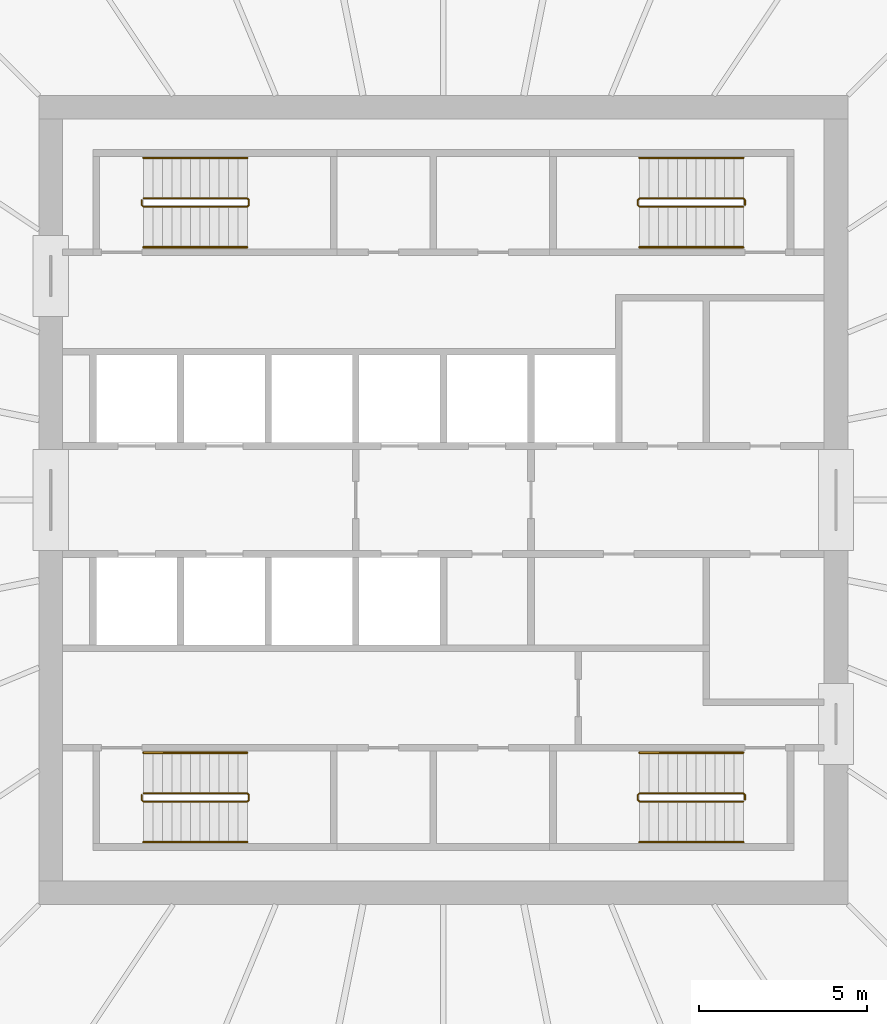
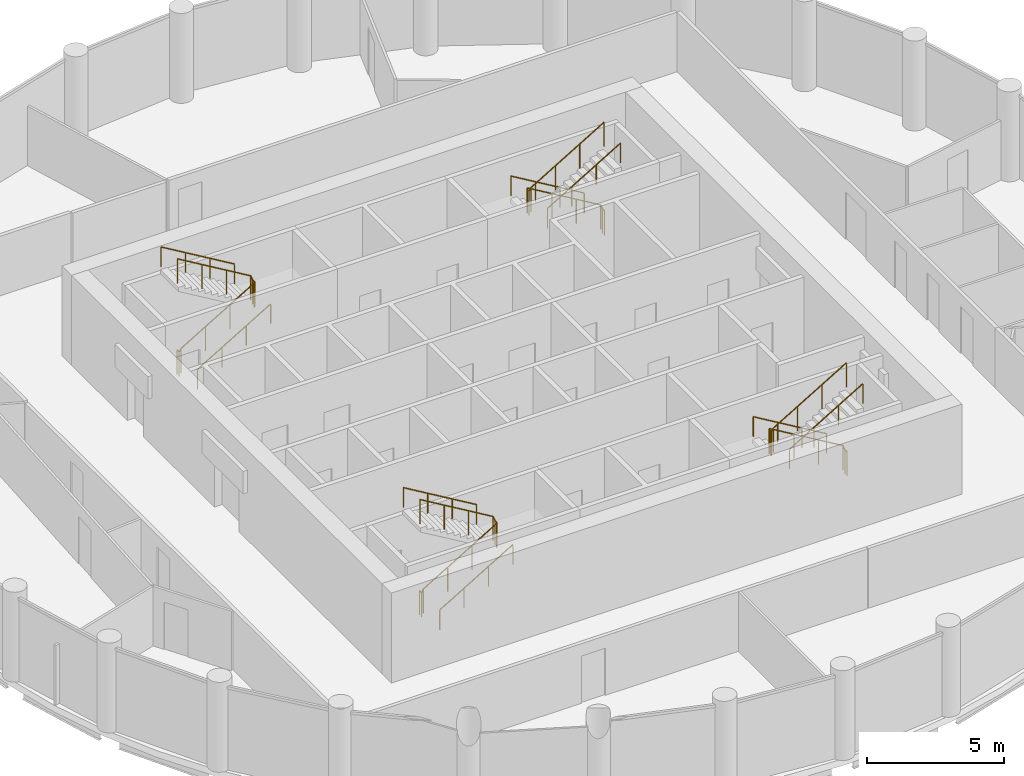
# One storey, part 7 of 7: 12 railings.
"""IFC4 building model written with IfcOpenShell, lengths in metres."""

from ifc_helpers import new_model, si_unit, direction, frame, origin, origin_2d, place, context, subcontext, project, spatial, circle, extrude, material, type_object, element, save


model = new_model("IFC4")

# Units and contexts
model_context = context("Model", 3, precision=1e-05, world=origin(), true_north=direction((0.0, 1.0)))
body_context = subcontext(model_context, "Body", "Model", "MODEL_VIEW")
ifc_project = project(units=[si_unit("LENGTHUNIT", "METRE"), si_unit("AREAUNIT", "SQUARE_METRE"), si_unit("VOLUMEUNIT", "CUBIC_METRE"), si_unit("PLANEANGLEUNIT", "RADIAN"), si_unit("MASSUNIT", "GRAM", prefix="KILO")], contexts=[model_context])

# Site, building, storey
site_placement = place(None, origin())
site = spatial("IfcSite", under=ifc_project, at=site_placement, CompositionType="ELEMENT")
building_placement = place(site_placement, origin())
building = spatial("IfcBuilding", under=site, at=building_placement, Name="Corvane Civic Tower", CompositionType="ELEMENT")
storey_placement = place(building_placement, frame((0.0, 0.0, 315.0)))
storey = spatial("IfcBuildingStorey", under=building, at=storey_placement, Name="L75", CompositionType="ELEMENT", Elevation=315.0)

# Railings
ifc_material_1 = material(Name="Steel ASTM A572 Gr 50", Category="steel")
railing_type_1 = type_object("IfcRailingType", Name="ST-GUARD-1100", PredefinedType="GUARDRAIL", material=ifc_material_1)
railing_1_placement = place(storey_placement, frame((8.949951171875, 8.75, 0.0)))
element("IfcRailing", 1, at=railing_1_placement, inside=storey, type_object=railing_type_1, Name="L75 ST1 stair guard 1", PredefinedType="GUARDRAIL", context=body_context, shape_type="SweptSolid", body=[
    extrude(circle(Radius=0.02392578125, at=origin_2d()), frame((0.0, 0.0, 1.076171875), z_axis=(0.0, 1.0, 0.0), x_axis=(-1.0, 0.0, 0.0)), (0.0, 0.0, 1.0), 0.14990234375),
    extrude(circle(Radius=0.02392578125, at=origin_2d()), frame((0.0, 0.14990234375, 1.076171875), z_axis=(-0.27628659633, 0.27628659633, 0.920506074601), x_axis=(-0.707106781187, -0.707106781187, 0.0)), (0.0, 0.0, 1.0), 0.18115234375),
    extrude(circle(Radius=0.02392578125, at=origin_2d()), frame((-0.050048828125, 0.199951171875, 1.24267578125), z_axis=(-0.859290745958, 0.0, 0.51148745235), x_axis=(0.0, -1.0, 0.0)), (0.0, 0.0, 1.0), 3.584228515625),
    extrude(circle(Radius=0.02392578125, at=origin_2d()), frame((-3.1298828125, 0.199951171875, 3.076171875), z_axis=(-0.707106781187, -0.707106781187, 0.0), x_axis=(0.707106781187, -0.707106781187, 0.0)), (0.0, 0.0, 1.0), 0.07080078125),
    extrude(circle(Radius=0.02392578125, at=origin_2d()), frame((-3.179931640625, 0.14990234375, 3.076171875), z_axis=(0.0, -1.0, 0.0), x_axis=(1.0, 0.0, 0.0)), (0.0, 0.0, 1.0), 0.14990234375),
    extrude(circle(Radius=0.02392578125, at=origin_2d()), frame((-3.179931640625, 0.0, 3.076171875), z_axis=(0.27628659633, -0.27628659633, 0.920506074601), x_axis=(0.707106781187, 0.707106781187, 0.0)), (0.0, 0.0, 1.0), 0.18115234375),
    extrude(circle(Radius=0.02392578125, at=origin_2d()), frame((-3.1298828125, -0.050048828125, 3.24267578125), z_axis=(0.859290745958, 0.0, 0.51148745235), x_axis=(0.0, 1.0, 0.0)), (0.0, 0.0, 1.0), 3.584228515625),
    extrude(circle(Radius=0.02099609375, at=origin_2d()), origin(), (0.0, 0.0, 1.0), 1.052001953125),
    extrude(circle(Radius=0.02099609375, at=origin_2d()), frame((0.0, 0.14990234375, 0.0)), (0.0, 0.0, 1.0), 1.052001953125),
    extrude(circle(Radius=0.02099609375, at=origin_2d()), frame((-0.050048828125, 0.199951171875, 0.166748046875)), (0.0, 0.0, 1.0), 1.052001953125),
    extrude(circle(Radius=0.02099609375, at=origin_2d()), frame((-1.07666015625, 0.199951171875, 0.77783203125)), (0.0, 0.0, 1.0), 1.052001953125),
    extrude(circle(Radius=0.02099609375, at=origin_2d()), frame((-2.103271484375, 0.199951171875, 1.388916015625)), (0.0, 0.0, 1.0), 1.052001953125),
    extrude(circle(Radius=0.02099609375, at=origin_2d()), frame((-3.1298828125, 0.199951171875, 2.0)), (0.0, 0.0, 1.0), 1.052001953125),
    extrude(circle(Radius=0.02099609375, at=origin_2d()), frame((-3.179931640625, 0.14990234375, 2.0)), (0.0, 0.0, 1.0), 1.052001953125),
    extrude(circle(Radius=0.02099609375, at=origin_2d()), frame((-3.179931640625, 0.0, 2.0)), (0.0, 0.0, 1.0), 1.052001953125),
    extrude(circle(Radius=0.02099609375, at=origin_2d()), frame((-3.1298828125, -0.050048828125, 2.166748046875)), (0.0, 0.0, 1.0), 1.052001953125),
    extrude(circle(Radius=0.02099609375, at=origin_2d()), frame((-2.103271484375, -0.050048828125, 2.77783203125)), (0.0, 0.0, 1.0), 1.052001953125),
    extrude(circle(Radius=0.02099609375, at=origin_2d()), frame((-1.07666015625, -0.050048828125, 3.388916015625)), (0.0, 0.0, 1.0), 1.052001953125),
    extrude(circle(Radius=0.02099609375, at=origin_2d()), frame((-0.050048828125, -0.050048828125, 4.0)), (0.0, 0.0, 1.0), 1.052001953125),
])
railing_2_placement = place(storey_placement, frame((8.949951171875, -8.89990234375, 0.0)))
element("IfcRailing", 2, at=railing_2_placement, inside=storey, type_object=railing_type_1, Name="L75 ST2 stair guard 1", PredefinedType="GUARDRAIL", context=body_context, shape_type="SweptSolid", body=[
    extrude(circle(Radius=0.02392578125, at=origin_2d()), frame((0.0, 0.0, 1.076171875), z_axis=(0.0, 1.0, 0.0), x_axis=(-1.0, 0.0, 0.0)), (0.0, 0.0, 1.0), 0.14990234375),
    extrude(circle(Radius=0.02392578125, at=origin_2d()), frame((0.0, 0.14990234375, 1.076171875), z_axis=(-0.27628659633, 0.27628659633, 0.920506074601), x_axis=(-0.707106781187, -0.707106781187, 0.0)), (0.0, 0.0, 1.0), 0.18115234375),
    extrude(circle(Radius=0.02392578125, at=origin_2d()), frame((-0.050048828125, 0.199951171875, 1.24267578125), z_axis=(-0.859290745958, 0.0, 0.51148745235), x_axis=(0.0, -1.0, 0.0)), (0.0, 0.0, 1.0), 3.584228515625),
    extrude(circle(Radius=0.02392578125, at=origin_2d()), frame((-3.1298828125, 0.199951171875, 3.076171875), z_axis=(-0.707106781187, -0.707106781187, 0.0), x_axis=(0.707106781187, -0.707106781187, 0.0)), (0.0, 0.0, 1.0), 0.07080078125),
    extrude(circle(Radius=0.02392578125, at=origin_2d()), frame((-3.179931640625, 0.14990234375, 3.076171875), z_axis=(0.0, -1.0, 0.0), x_axis=(1.0, 0.0, 0.0)), (0.0, 0.0, 1.0), 0.14990234375),
    extrude(circle(Radius=0.02392578125, at=origin_2d()), frame((-3.179931640625, 0.0, 3.076171875), z_axis=(0.27628659633, -0.27628659633, 0.920506074601), x_axis=(0.707106781187, 0.707106781187, 0.0)), (0.0, 0.0, 1.0), 0.18115234375),
    extrude(circle(Radius=0.02392578125, at=origin_2d()), frame((-3.1298828125, -0.050048828125, 3.24267578125), z_axis=(0.859290745958, 0.0, 0.51148745235), x_axis=(0.0, 1.0, 0.0)), (0.0, 0.0, 1.0), 3.584228515625),
    extrude(circle(Radius=0.02099609375, at=origin_2d()), origin(), (0.0, 0.0, 1.0), 1.052001953125),
    extrude(circle(Radius=0.02099609375, at=origin_2d()), frame((0.0, 0.14990234375, 0.0)), (0.0, 0.0, 1.0), 1.052001953125),
    extrude(circle(Radius=0.02099609375, at=origin_2d()), frame((-0.050048828125, 0.199951171875, 0.166748046875)), (0.0, 0.0, 1.0), 1.052001953125),
    extrude(circle(Radius=0.02099609375, at=origin_2d()), frame((-1.07666015625, 0.199951171875, 0.77783203125)), (0.0, 0.0, 1.0), 1.052001953125),
    extrude(circle(Radius=0.02099609375, at=origin_2d()), frame((-2.103271484375, 0.199951171875, 1.388916015625)), (0.0, 0.0, 1.0), 1.052001953125),
    extrude(circle(Radius=0.02099609375, at=origin_2d()), frame((-3.1298828125, 0.199951171875, 2.0)), (0.0, 0.0, 1.0), 1.052001953125),
    extrude(circle(Radius=0.02099609375, at=origin_2d()), frame((-3.179931640625, 0.14990234375, 2.0)), (0.0, 0.0, 1.0), 1.052001953125),
    extrude(circle(Radius=0.02099609375, at=origin_2d()), frame((-3.179931640625, 0.0, 2.0)), (0.0, 0.0, 1.0), 1.052001953125),
    extrude(circle(Radius=0.02099609375, at=origin_2d()), frame((-3.1298828125, -0.050048828125, 2.166748046875)), (0.0, 0.0, 1.0), 1.052001953125),
    extrude(circle(Radius=0.02099609375, at=origin_2d()), frame((-2.103271484375, -0.050048828125, 2.77783203125)), (0.0, 0.0, 1.0), 1.052001953125),
    extrude(circle(Radius=0.02099609375, at=origin_2d()), frame((-1.07666015625, -0.050048828125, 3.388916015625)), (0.0, 0.0, 1.0), 1.052001953125),
    extrude(circle(Radius=0.02099609375, at=origin_2d()), frame((-0.050048828125, -0.050048828125, 4.0)), (0.0, 0.0, 1.0), 1.052001953125),
])
railing_3_placement = place(storey_placement, frame((-8.949951171875, -8.75, 0.0)))
element("IfcRailing", 3, at=railing_3_placement, inside=storey, type_object=railing_type_1, Name="L75 ST3 stair guard 1", PredefinedType="GUARDRAIL", context=body_context, shape_type="SweptSolid", body=[
    extrude(circle(Radius=0.02392578125, at=origin_2d()), frame((0.0, 0.0, 1.076171875), z_axis=(0.0, -1.0, 0.0), x_axis=(1.0, 0.0, 0.0)), (0.0, 0.0, 1.0), 0.14990234375),
    extrude(circle(Radius=0.02392578125, at=origin_2d()), frame((0.0, -0.14990234375, 1.076171875), z_axis=(0.27628659633, -0.27628659633, 0.920506074601), x_axis=(0.707106781187, 0.707106781187, 0.0)), (0.0, 0.0, 1.0), 0.18115234375),
    extrude(circle(Radius=0.02392578125, at=origin_2d()), frame((0.050048828125, -0.199951171875, 1.24267578125), z_axis=(0.859290745958, 0.0, 0.51148745235), x_axis=(0.0, 1.0, 0.0)), (0.0, 0.0, 1.0), 3.584228515625),
    extrude(circle(Radius=0.02392578125, at=origin_2d()), frame((3.1298828125, -0.199951171875, 3.076171875), z_axis=(0.707106781187, 0.707106781187, 0.0), x_axis=(-0.707106781187, 0.707106781187, 0.0)), (0.0, 0.0, 1.0), 0.07080078125),
    extrude(circle(Radius=0.02392578125, at=origin_2d()), frame((3.179931640625, -0.14990234375, 3.076171875), z_axis=(0.0, 1.0, 0.0), x_axis=(-1.0, 0.0, 0.0)), (0.0, 0.0, 1.0), 0.14990234375),
    extrude(circle(Radius=0.02392578125, at=origin_2d()), frame((3.179931640625, 0.0, 3.076171875), z_axis=(-0.27628659633, 0.27628659633, 0.920506074601), x_axis=(-0.707106781187, -0.707106781187, 0.0)), (0.0, 0.0, 1.0), 0.18115234375),
    extrude(circle(Radius=0.02392578125, at=origin_2d()), frame((3.1298828125, 0.050048828125, 3.24267578125), z_axis=(-0.859290745958, 0.0, 0.51148745235), x_axis=(0.0, -1.0, 0.0)), (0.0, 0.0, 1.0), 3.584228515625),
    extrude(circle(Radius=0.02099609375, at=origin_2d()), origin(), (0.0, 0.0, 1.0), 1.052001953125),
    extrude(circle(Radius=0.02099609375, at=origin_2d()), frame((0.0, -0.14990234375, 0.0)), (0.0, 0.0, 1.0), 1.052001953125),
    extrude(circle(Radius=0.02099609375, at=origin_2d()), frame((0.050048828125, -0.199951171875, 0.166748046875)), (0.0, 0.0, 1.0), 1.052001953125),
    extrude(circle(Radius=0.02099609375, at=origin_2d()), frame((1.07666015625, -0.199951171875, 0.77783203125)), (0.0, 0.0, 1.0), 1.052001953125),
    extrude(circle(Radius=0.02099609375, at=origin_2d()), frame((2.103271484375, -0.199951171875, 1.388916015625)), (0.0, 0.0, 1.0), 1.052001953125),
    extrude(circle(Radius=0.02099609375, at=origin_2d()), frame((3.1298828125, -0.199951171875, 2.0)), (0.0, 0.0, 1.0), 1.052001953125),
    extrude(circle(Radius=0.02099609375, at=origin_2d()), frame((3.179931640625, -0.14990234375, 2.0)), (0.0, 0.0, 1.0), 1.052001953125),
    extrude(circle(Radius=0.02099609375, at=origin_2d()), frame((3.179931640625, 0.0, 2.0)), (0.0, 0.0, 1.0), 1.052001953125),
    extrude(circle(Radius=0.02099609375, at=origin_2d()), frame((3.1298828125, 0.050048828125, 2.166748046875)), (0.0, 0.0, 1.0), 1.052001953125),
    extrude(circle(Radius=0.02099609375, at=origin_2d()), frame((2.103271484375, 0.050048828125, 2.77783203125)), (0.0, 0.0, 1.0), 1.052001953125),
    extrude(circle(Radius=0.02099609375, at=origin_2d()), frame((1.07666015625, 0.050048828125, 3.388916015625)), (0.0, 0.0, 1.0), 1.052001953125),
    extrude(circle(Radius=0.02099609375, at=origin_2d()), frame((0.050048828125, 0.050048828125, 4.0)), (0.0, 0.0, 1.0), 1.052001953125),
])
railing_4_placement = place(storey_placement, frame((-8.949951171875, 8.89990234375, 0.0)))
element("IfcRailing", 4, at=railing_4_placement, inside=storey, type_object=railing_type_1, Name="L75 ST4 stair guard 1", PredefinedType="GUARDRAIL", context=body_context, shape_type="SweptSolid", body=[
    extrude(circle(Radius=0.02392578125, at=origin_2d()), frame((0.0, 0.0, 1.076171875), z_axis=(0.0, -1.0, 0.0), x_axis=(1.0, 0.0, 0.0)), (0.0, 0.0, 1.0), 0.14990234375),
    extrude(circle(Radius=0.02392578125, at=origin_2d()), frame((0.0, -0.14990234375, 1.076171875), z_axis=(0.27628659633, -0.27628659633, 0.920506074601), x_axis=(0.707106781187, 0.707106781187, 0.0)), (0.0, 0.0, 1.0), 0.18115234375),
    extrude(circle(Radius=0.02392578125, at=origin_2d()), frame((0.050048828125, -0.199951171875, 1.24267578125), z_axis=(0.859290745958, 0.0, 0.51148745235), x_axis=(0.0, 1.0, 0.0)), (0.0, 0.0, 1.0), 3.584228515625),
    extrude(circle(Radius=0.02392578125, at=origin_2d()), frame((3.1298828125, -0.199951171875, 3.076171875), z_axis=(0.707106781187, 0.707106781187, 0.0), x_axis=(-0.707106781187, 0.707106781187, 0.0)), (0.0, 0.0, 1.0), 0.07080078125),
    extrude(circle(Radius=0.02392578125, at=origin_2d()), frame((3.179931640625, -0.14990234375, 3.076171875), z_axis=(0.0, 1.0, 0.0), x_axis=(-1.0, 0.0, 0.0)), (0.0, 0.0, 1.0), 0.14990234375),
    extrude(circle(Radius=0.02392578125, at=origin_2d()), frame((3.179931640625, 0.0, 3.076171875), z_axis=(-0.27628659633, 0.27628659633, 0.920506074601), x_axis=(-0.707106781187, -0.707106781187, 0.0)), (0.0, 0.0, 1.0), 0.18115234375),
    extrude(circle(Radius=0.02392578125, at=origin_2d()), frame((3.1298828125, 0.050048828125, 3.24267578125), z_axis=(-0.859290745958, 0.0, 0.51148745235), x_axis=(0.0, -1.0, 0.0)), (0.0, 0.0, 1.0), 3.584228515625),
    extrude(circle(Radius=0.02099609375, at=origin_2d()), origin(), (0.0, 0.0, 1.0), 1.052001953125),
    extrude(circle(Radius=0.02099609375, at=origin_2d()), frame((0.0, -0.14990234375, 0.0)), (0.0, 0.0, 1.0), 1.052001953125),
    extrude(circle(Radius=0.02099609375, at=origin_2d()), frame((0.050048828125, -0.199951171875, 0.166748046875)), (0.0, 0.0, 1.0), 1.052001953125),
    extrude(circle(Radius=0.02099609375, at=origin_2d()), frame((1.07666015625, -0.199951171875, 0.77783203125)), (0.0, 0.0, 1.0), 1.052001953125),
    extrude(circle(Radius=0.02099609375, at=origin_2d()), frame((2.103271484375, -0.199951171875, 1.388916015625)), (0.0, 0.0, 1.0), 1.052001953125),
    extrude(circle(Radius=0.02099609375, at=origin_2d()), frame((3.1298828125, -0.199951171875, 2.0)), (0.0, 0.0, 1.0), 1.052001953125),
    extrude(circle(Radius=0.02099609375, at=origin_2d()), frame((3.179931640625, -0.14990234375, 2.0)), (0.0, 0.0, 1.0), 1.052001953125),
    extrude(circle(Radius=0.02099609375, at=origin_2d()), frame((3.179931640625, 0.0, 2.0)), (0.0, 0.0, 1.0), 1.052001953125),
    extrude(circle(Radius=0.02099609375, at=origin_2d()), frame((3.1298828125, 0.050048828125, 2.166748046875)), (0.0, 0.0, 1.0), 1.052001953125),
    extrude(circle(Radius=0.02099609375, at=origin_2d()), frame((2.103271484375, 0.050048828125, 2.77783203125)), (0.0, 0.0, 1.0), 1.052001953125),
    extrude(circle(Radius=0.02099609375, at=origin_2d()), frame((1.07666015625, 0.050048828125, 3.388916015625)), (0.0, 0.0, 1.0), 1.052001953125),
    extrude(circle(Radius=0.02099609375, at=origin_2d()), frame((0.050048828125, 0.050048828125, 4.0)), (0.0, 0.0, 1.0), 1.052001953125),
])
ifc_material_2 = material(Name="Steel ASTM A572 Gr 50", Category="steel")
railing_type_2 = type_object("IfcRailingType", Name="ST-HANDRAIL-900", PredefinedType="HANDRAIL", material=ifc_material_2)
railing_5_placement = place(storey_placement, frame((8.89990234375, 10.14990234375, 0.166748046875)))
element("IfcRailing", 5, at=railing_5_placement, inside=storey, type_object=railing_type_2, Name="L75 ST1 stair handrail 1", PredefinedType="HANDRAIL", context=body_context, shape_type="SweptSolid", body=[
    extrude(circle(Radius=0.02392578125, at=origin_2d()), frame((0.0, 0.0, 0.8759765625), z_axis=(-0.859290745958, 0.0, 0.51148745235), x_axis=(0.0, -1.0, 0.0)), (0.0, 0.0, 1.0), 3.584228515625),
    extrude(circle(Radius=0.02099609375, at=origin_2d()), origin(), (0.0, 0.0, 1.0), 0.851806640625),
    extrude(circle(Radius=0.02099609375, at=origin_2d()), frame((-1.026611328125, 0.0, 0.611083984375)), (0.0, 0.0, 1.0), 0.851806640625),
    extrude(circle(Radius=0.02099609375, at=origin_2d()), frame((-2.05322265625, 0.0, 1.22216796875)), (0.0, 0.0, 1.0), 0.851806640625),
    extrude(circle(Radius=0.02099609375, at=origin_2d()), frame((-3.079833984375, 0.0, 1.833251953125)), (0.0, 0.0, 1.0), 0.851806640625),
])
railing_6_placement = place(storey_placement, frame((5.820068359375, 7.5, 2.166748046875)))
element("IfcRailing", 6, at=railing_6_placement, inside=storey, type_object=railing_type_2, Name="L75 ST1 stair handrail 2", PredefinedType="HANDRAIL", context=body_context, shape_type="SweptSolid", body=[
    extrude(circle(Radius=0.02392578125, at=origin_2d()), frame((0.0, 0.0, 0.8759765625), z_axis=(0.859290745958, 0.0, 0.51148745235), x_axis=(0.0, 1.0, 0.0)), (0.0, 0.0, 1.0), 3.584228515625),
    extrude(circle(Radius=0.02099609375, at=origin_2d()), origin(), (0.0, 0.0, 1.0), 0.851806640625),
    extrude(circle(Radius=0.02099609375, at=origin_2d()), frame((1.026611328125, 0.0, 0.611083984375)), (0.0, 0.0, 1.0), 0.851806640625),
    extrude(circle(Radius=0.02099609375, at=origin_2d()), frame((2.05322265625, 0.0, 1.22216796875)), (0.0, 0.0, 1.0), 0.851806640625),
    extrude(circle(Radius=0.02099609375, at=origin_2d()), frame((3.079833984375, 0.0, 1.833251953125)), (0.0, 0.0, 1.0), 0.851806640625),
])
railing_7_placement = place(storey_placement, frame((8.89990234375, -7.5, 0.166748046875)))
element("IfcRailing", 7, at=railing_7_placement, inside=storey, type_object=railing_type_2, Name="L75 ST2 stair handrail 1", PredefinedType="HANDRAIL", context=body_context, shape_type="SweptSolid", body=[
    extrude(circle(Radius=0.02392578125, at=origin_2d()), frame((0.0, 0.0, 0.8759765625), z_axis=(-0.859290745958, 0.0, 0.51148745235), x_axis=(0.0, -1.0, 0.0)), (0.0, 0.0, 1.0), 3.584228515625),
    extrude(circle(Radius=0.02099609375, at=origin_2d()), origin(), (0.0, 0.0, 1.0), 0.851806640625),
    extrude(circle(Radius=0.02099609375, at=origin_2d()), frame((-1.026611328125, 0.0, 0.611083984375)), (0.0, 0.0, 1.0), 0.851806640625),
    extrude(circle(Radius=0.02099609375, at=origin_2d()), frame((-2.05322265625, 0.0, 1.22216796875)), (0.0, 0.0, 1.0), 0.851806640625),
    extrude(circle(Radius=0.02099609375, at=origin_2d()), frame((-3.079833984375, 0.0, 1.833251953125)), (0.0, 0.0, 1.0), 0.851806640625),
])
for number, where, name in (
    (8, (5.820068359375, -10.14990234375, 2.166748046875), "L75 ST2 stair handrail 2"),
    (9, (-8.89990234375, -10.14990234375, 0.166748046875), "L75 ST3 stair handrail 1"),
):
    element("IfcRailing", number, at=place(storey_placement, frame(where)), inside=storey, type_object=railing_type_2, Name=name, PredefinedType="HANDRAIL", context=body_context, shape_type="SweptSolid", body=[
        extrude(circle(Radius=0.02392578125, at=origin_2d()), frame((0.0, 0.0, 0.8759765625), z_axis=(0.859290745958, 0.0, 0.51148745235), x_axis=(0.0, 1.0, 0.0)), (0.0, 0.0, 1.0), 3.584228515625),
        extrude(circle(Radius=0.02099609375, at=origin_2d()), origin(), (0.0, 0.0, 1.0), 0.851806640625),
        extrude(circle(Radius=0.02099609375, at=origin_2d()), frame((1.026611328125, 0.0, 0.611083984375)), (0.0, 0.0, 1.0), 0.851806640625),
        extrude(circle(Radius=0.02099609375, at=origin_2d()), frame((2.05322265625, 0.0, 1.22216796875)), (0.0, 0.0, 1.0), 0.851806640625),
        extrude(circle(Radius=0.02099609375, at=origin_2d()), frame((3.079833984375, 0.0, 1.833251953125)), (0.0, 0.0, 1.0), 0.851806640625),
    ])
railing_8_placement = place(storey_placement, frame((-5.820068359375, -7.5, 2.166748046875)))
element("IfcRailing", 10, at=railing_8_placement, inside=storey, type_object=railing_type_2, Name="L75 ST3 stair handrail 2", PredefinedType="HANDRAIL", context=body_context, shape_type="SweptSolid", body=[
    extrude(circle(Radius=0.02392578125, at=origin_2d()), frame((0.0, 0.0, 0.8759765625), z_axis=(-0.859290745958, 0.0, 0.51148745235), x_axis=(0.0, -1.0, 0.0)), (0.0, 0.0, 1.0), 3.584228515625),
    extrude(circle(Radius=0.02099609375, at=origin_2d()), origin(), (0.0, 0.0, 1.0), 0.851806640625),
    extrude(circle(Radius=0.02099609375, at=origin_2d()), frame((-1.026611328125, 0.0, 0.611083984375)), (0.0, 0.0, 1.0), 0.851806640625),
    extrude(circle(Radius=0.02099609375, at=origin_2d()), frame((-2.05322265625, 0.0, 1.22216796875)), (0.0, 0.0, 1.0), 0.851806640625),
    extrude(circle(Radius=0.02099609375, at=origin_2d()), frame((-3.079833984375, 0.0, 1.833251953125)), (0.0, 0.0, 1.0), 0.851806640625),
])
railing_9_placement = place(storey_placement, frame((-8.89990234375, 7.5, 0.166748046875)))
element("IfcRailing", 11, at=railing_9_placement, inside=storey, type_object=railing_type_2, Name="L75 ST4 stair handrail 1", PredefinedType="HANDRAIL", context=body_context, shape_type="SweptSolid", body=[
    extrude(circle(Radius=0.02392578125, at=origin_2d()), frame((0.0, 0.0, 0.8759765625), z_axis=(0.859290745958, 0.0, 0.51148745235), x_axis=(0.0, 1.0, 0.0)), (0.0, 0.0, 1.0), 3.584228515625),
    extrude(circle(Radius=0.02099609375, at=origin_2d()), origin(), (0.0, 0.0, 1.0), 0.851806640625),
    extrude(circle(Radius=0.02099609375, at=origin_2d()), frame((1.026611328125, 0.0, 0.611083984375)), (0.0, 0.0, 1.0), 0.851806640625),
    extrude(circle(Radius=0.02099609375, at=origin_2d()), frame((2.05322265625, 0.0, 1.22216796875)), (0.0, 0.0, 1.0), 0.851806640625),
    extrude(circle(Radius=0.02099609375, at=origin_2d()), frame((3.079833984375, 0.0, 1.833251953125)), (0.0, 0.0, 1.0), 0.851806640625),
])
railing_10_placement = place(storey_placement, frame((-5.820068359375, 10.14990234375, 2.166748046875)))
element("IfcRailing", 12, at=railing_10_placement, inside=storey, type_object=railing_type_2, Name="L75 ST4 stair handrail 2", PredefinedType="HANDRAIL", context=body_context, shape_type="SweptSolid", body=[
    extrude(circle(Radius=0.02392578125, at=origin_2d()), frame((0.0, 0.0, 0.8759765625), z_axis=(-0.859290745958, 0.0, 0.51148745235), x_axis=(0.0, -1.0, 0.0)), (0.0, 0.0, 1.0), 3.584228515625),
    extrude(circle(Radius=0.02099609375, at=origin_2d()), origin(), (0.0, 0.0, 1.0), 0.851806640625),
    extrude(circle(Radius=0.02099609375, at=origin_2d()), frame((-1.026611328125, 0.0, 0.611083984375)), (0.0, 0.0, 1.0), 0.851806640625),
    extrude(circle(Radius=0.02099609375, at=origin_2d()), frame((-2.05322265625, 0.0, 1.22216796875)), (0.0, 0.0, 1.0), 0.851806640625),
    extrude(circle(Radius=0.02099609375, at=origin_2d()), frame((-3.079833984375, 0.0, 1.833251953125)), (0.0, 0.0, 1.0), 0.851806640625),
])

save(model, "model.ifc")
